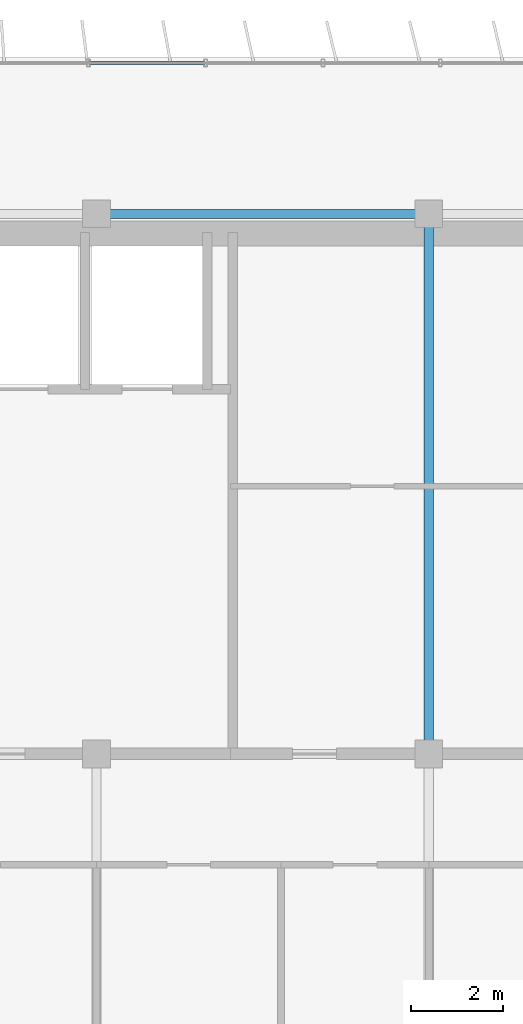
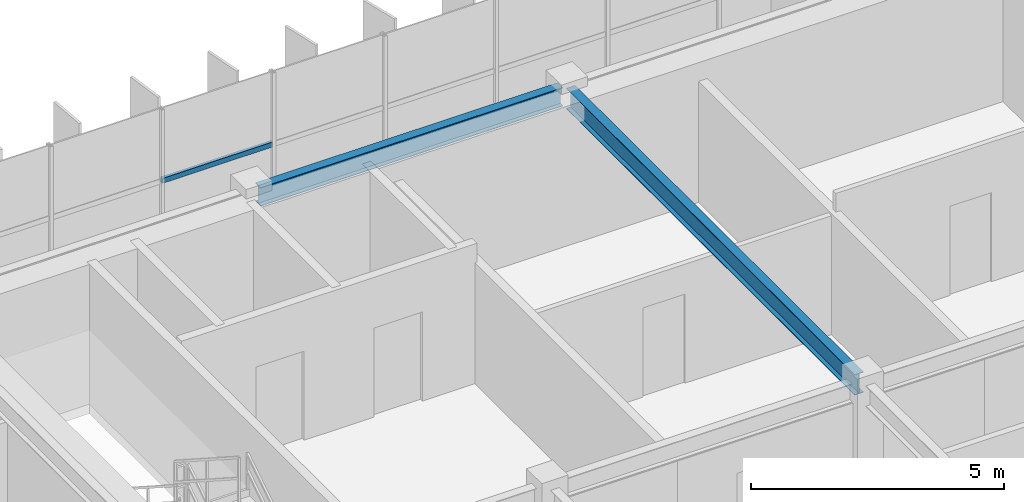
# One storey, part 7 of 22: 2 beams, 1 member, 1 element without a shape of its own.
"""IFC4 building model written with IfcOpenShell, lengths in metres."""

from ifc_helpers import new_model, si_unit, direction, frame, origin, origin_2d, place, context, subcontext, project, spatial, hollow_rectangle, i_section, extrude, source, transform, mapped, material, material_profile, profile_set, type_object, element, aggregate, save


model = new_model("IFC4")

# Units and contexts
model_context = context("Model", 3, precision=1e-05, world=origin(), true_north=direction((0.0, 1.0)))
body_context = subcontext(model_context, "Body", "Model", "MODEL_VIEW")
ifc_project = project(units=[si_unit("LENGTHUNIT", "METRE"), si_unit("AREAUNIT", "SQUARE_METRE"), si_unit("VOLUMEUNIT", "CUBIC_METRE"), si_unit("PLANEANGLEUNIT", "RADIAN"), si_unit("MASSUNIT", "GRAM", prefix="KILO")], contexts=[model_context])

# Site, building, storey
site_placement = place(None, origin())
site = spatial("IfcSite", under=ifc_project, at=site_placement, CompositionType="ELEMENT")
building_placement = place(site_placement, origin())
building = spatial("IfcBuilding", under=site, at=building_placement, Name="Trelvane Seafront Commons", CompositionType="ELEMENT")
storey_placement = place(building_placement, frame((0.0, 0.0, 284.699951171875)))
storey = spatial("IfcBuildingStorey", under=building, at=storey_placement, Name="L74", CompositionType="ELEMENT", Elevation=284.699951171875)

# Beams
ifc_material_1 = material(Name="Steel SM355 (S355)", Category="steel")
ifc_material_profile_1 = material_profile(ifc_material_1, i_section(OverallWidth=0.199951171875, OverallDepth=0.5, WebThickness=0.010009765625, FlangeThickness=0.01611328125, at=origin_2d()), Name="H-500x200x10x16")
ifc_profile_set_1 = profile_set([ifc_material_profile_1], Name="Steel SM355 (S355)")
beam_type_1 = type_object("IfcBeamType", Name="STR-BM-H500", PredefinedType="BEAM", material=ifc_profile_set_1)
shared_shape_1 = source(origin(), body_context, "Body", "SweptSolid", [
    extrude(i_section(OverallWidth=0.199951171875, OverallDepth=0.5, WebThickness=0.010009765625, FlangeThickness=0.01611328125, at=origin_2d()), origin(), (0.0, 0.0, 1.0), 11.39990234375),
])
beam_1_placement = place(storey_placement, frame((30.60009765625, 33.550048828125, 3.1201171875), z_axis=(0.0, 1.0, 0.0), x_axis=(-1.0, 0.0, 0.0)))
element("IfcBeam", 1, at=beam_1_placement, inside=storey, type_object=beam_type_1, Name="L74 Primary Girder G-40", PredefinedType="BEAM", context=body_context, shape_type="MappedRepresentation", body=[
    mapped(shared_shape_1, transform((0.0, 0.0, 0.0), x_axis=(1.0, 0.0, 0.0), y_axis=(0.0, 1.0, 0.0), z_axis=(0.0, 0.0, 1.0), scale=1.0)),
])
ifc_material_profile_2 = material_profile(ifc_material_1, i_section(OverallWidth=0.199951171875, OverallDepth=0.449951171875, WebThickness=0.009033203125, FlangeThickness=0.013916015625, at=origin_2d()), Name="H-450x200x9x14")
ifc_profile_set_2 = profile_set([ifc_material_profile_2], Name="Steel SM355 (S355)")
beam_type_2 = type_object("IfcBeamType", Name="STR-SPD-H450", PredefinedType="SPANDREL", material=ifc_profile_set_2)
shared_shape_2 = source(origin(), body_context, "Body", "SweptSolid", [
    extrude(i_section(OverallWidth=0.199951171875, OverallDepth=0.449951171875, WebThickness=0.009033203125, FlangeThickness=0.013916015625, at=origin_2d()), origin(), (0.0, 0.0, 1.0), 6.89990234375),
])
beam_2_placement = place(storey_placement, frame((23.550048828125, 45.10009765625, 3.14501953125), z_axis=(1.0, 0.0, 0.0), x_axis=(0.0, 1.0, 0.0)))
element("IfcBeam", 2, at=beam_2_placement, inside=storey, type_object=beam_type_2, Name="L74 Primary Girder G-24", PredefinedType="SPANDREL", context=body_context, shape_type="MappedRepresentation", body=[
    mapped(shared_shape_2, transform((0.0, 0.0, 0.0), x_axis=(1.0, 0.0, 0.0), y_axis=(0.0, 1.0, 0.0), z_axis=(0.0, 0.0, 1.0), scale=1.0)),
])

# Curtain wall, member
ifc_material_2 = material(Name="Anodised pale-silver aluminium", Category="aluminium")
curtain_wall_type = type_object("IfcCurtainWallType", Name="ARCH-CW5-UPTOWER", PredefinedType="NOTDEFINED", material=ifc_material_2)
curtain_wall_placement = place(storey_placement, origin())
curtain_wall = element("IfcCurtainWall", 3, at=curtain_wall_placement, inside=storey, type_object=curtain_wall_type, Name="CW-L74-0118", PredefinedType="NOTDEFINED")
ifc_material_profile_3 = material_profile(ifc_material_2, hollow_rectangle(XDim=0.070068359375, YDim=0.1201171875, WallThickness=0.00390625, at=origin_2d()), Name="TRAN-70x120x4")
ifc_profile_set_3 = profile_set([ifc_material_profile_3], Name="Anodised pale-silver aluminium")
member_type = type_object("IfcMemberType", Name="ARCH-CW-TRAN-120", PredefinedType="USERDEFINED", material=ifc_profile_set_3)
shared_shape_3 = source(origin(), body_context, "Body", "SweptSolid", [
    extrude(hollow_rectangle(XDim=0.070068359375, YDim=0.1201171875, WallThickness=0.00390625, at=origin_2d()), origin(), (0.0, 0.0, 1.0), 2.51708984375),
])
member_placement = place(storey_placement, frame((23.235595703125, 48.3701171875, 1.6181640625), z_axis=(1.0, 0.0, 0.0), x_axis=(0.0, 1.0, 0.0)))
member = element("IfcMember", 4, at=member_placement, type_object=member_type, Name="CW-L74-0118-T03", ObjectType="TRANSOM", PredefinedType="USERDEFINED", context=body_context, shape_type="MappedRepresentation", body=[
    mapped(shared_shape_3, transform((0.0, 0.0, 0.0), x_axis=(1.0, 0.0, 0.0), y_axis=(0.0, 1.0, 0.0), z_axis=(0.0, 0.0, 1.0), scale=1.0)),
])
aggregate(curtain_wall, [member])

save(model, "model.ifc")
